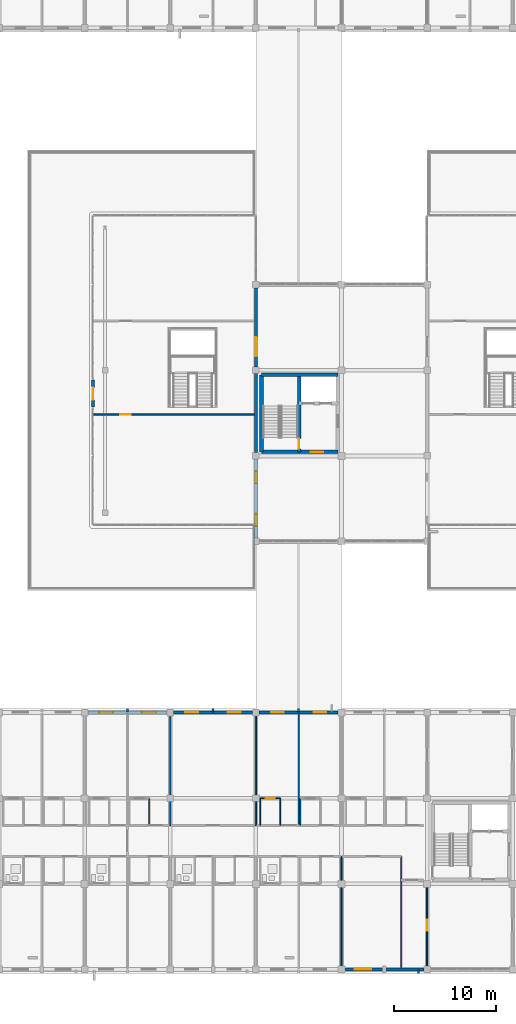
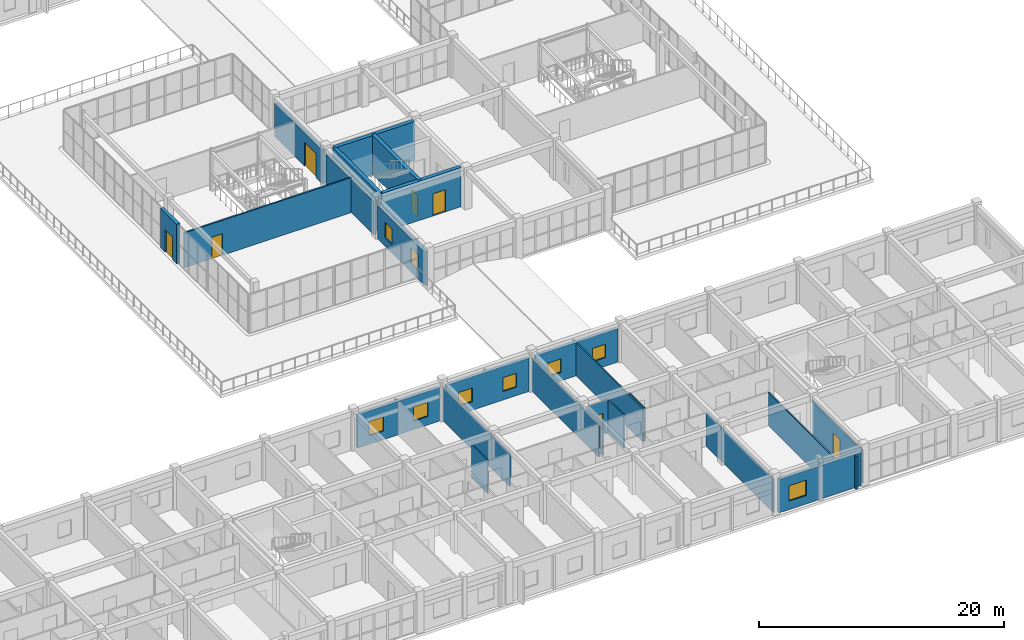
# One storey, part 64 of 90: 28 walls, 9 windows, 7 doors, 16 openings.
"""IFC4 building model written with IfcOpenShell, lengths in metres."""

from ifc_helpers import new_model, si_unit, direction, frame, frame_2d, origin, place, context, subcontext, project, spatial, rectangle, extrude, material, layer, layer_set, type_object, element, fill, save


model = new_model("IFC4")

# Units and contexts
model_context = context("Model", 3, precision=1e-05, world=origin(), true_north=direction((0.0, 1.0)))
body_context = subcontext(model_context, "Body", "Model", "MODEL_VIEW")
ifc_project = project(units=[si_unit("LENGTHUNIT", "METRE"), si_unit("AREAUNIT", "SQUARE_METRE"), si_unit("VOLUMEUNIT", "CUBIC_METRE"), si_unit("PLANEANGLEUNIT", "RADIAN"), si_unit("MASSUNIT", "GRAM", prefix="KILO")], contexts=[model_context])

# Site, building, storey
site_placement = place(None, origin())
site = spatial("IfcSite", under=ifc_project, at=site_placement, CompositionType="ELEMENT")
building_placement = place(site_placement, origin())
building = spatial("IfcBuilding", under=site, at=building_placement, Name="Trelvath General Hospital", CompositionType="ELEMENT")
storey_placement = place(building_placement, frame((0.0, 0.0, 20.39990234375)))
storey = spatial("IfcBuildingStorey", under=building, at=storey_placement, Name="L05", CompositionType="ELEMENT", Elevation=20.39990234375)

# Walls
ifc_material_1 = material(Name="Precast concrete C40/50", Category="concrete")
ifc_layer_1 = layer(ifc_material_1, 0.199951171875)
ifc_layer_set_1 = layer_set([ifc_layer_1], Name="Precast concrete C40/50")
wall_type_1 = type_object("IfcWallType", Name="BriseSoleilRib 200", PredefinedType="ELEMENTEDWALL", material=ifc_layer_set_1)
for number, where, z_axis, x_axis, name in (
    (1, (63.0, 25.27490234375, 0.0), (0.0, 0.0, 1.0), (0.0, 1.0, 0.0), "Precast Concrete Brise-Soleil Rib Fin L05-375"),
    (2, (71.39990234375, 25.27490234375, 0.0), (0.0, 0.0, 1.0), (0.0, 1.0, 0.0), "Precast Concrete Brise-Soleil Rib Fin L05-379"),
    (3, (79.800048828125, 25.27490234375, 0.0), (0.0, 0.0, 1.0), (0.0, 1.0, 0.0), "Precast Concrete Brise-Soleil Rib Fin L05-383"),
    (4, (91.536865234375, -0.074951171875, 0.0), (0.0, 0.0, 1.0), (0.0, -1.0, 0.0), "Precast Concrete Brise-Soleil Rib Fin L05-386"),
):
    element("IfcWall", number, at=place(storey_placement, frame(where, z_axis=z_axis, x_axis=x_axis)), inside=storey, type_object=wall_type_1, Name=name, PredefinedType="ELEMENTEDWALL", context=body_context, shape_type="SweptSolid", body=[
        extrude(rectangle(XDim=0.340087890625, YDim=0.199951171875, at=frame_2d((0.169921875, 0.0))), origin(), (0.0, 0.0, 1.0), 3.320068359375),
    ])

# Wall, opening, door
ifc_material_2 = material(Name="Gypsum acoustic steel-stud partition", Category="steel")
ifc_layer_2 = layer(ifc_material_2, 0.14990234375)
ifc_layer_set_2 = layer_set([ifc_layer_2], Name="Gypsum acoustic steel-stud partition")
wall_type_2 = type_object("IfcWallType", Name="ClinicalPartition 150", PredefinedType="PARTITIONING", material=ifc_layer_set_2)
wall_1_placement = place(storey_placement, frame((59.699951171875, 54.449951171875, 0.0), z_axis=(0.0, 0.0, 1.0), x_axis=(1.0, 0.0, 0.0)))
wall_1 = element("IfcWall", 5, at=wall_1_placement, inside=storey, type_object=wall_type_2, Name="Cube Clinic CUBE-W Partition L05-2027", PredefinedType="PARTITIONING", context=body_context, shape_type="SweptSolid", body=[
    extrude(rectangle(XDim=15.800048828125, YDim=0.14990234375, at=frame_2d((7.89990234375, 0.0))), origin(), (0.0, 0.0, 1.0), 3.489990234375),
])
opening_1_placement = place(wall_1_placement, frame((2.60009765625, 0.0, 0.0)))
opening_1 = element("IfcOpeningElement", 6, at=opening_1_placement, cuts=wall_1, Name="Opening DC-5-1303", PredefinedType="OPENING", context=body_context, shape_type="SweptSolid", body=[
    extrude(rectangle(XDim=1.0, YDim=2.14990234375, at=frame_2d((0.5, 1.074951171875))), frame((0.0, 0.0849609375, 0.0), z_axis=(0.0, -1.0, 0.0), x_axis=(1.0, 0.0, 0.0)), (0.0, 0.0, 1.0), 0.169921875),
])
ifc_material_3 = material(Name="Acoustic hospital timber leaf", Category="wood")
door_type_1 = type_object("IfcDoorType", Name="Door Consult 1000x2150", OperationType="NOTDEFINED", PredefinedType="DOOR", material=ifc_material_3)
door_1_placement = place(opening_1_placement, origin())
door_1 = element("IfcDoor", 7, at=door_1_placement, inside=storey, type_object=door_type_1, Name="Cube Clinic CUBE-W Door L05-1303", OperationType="SINGLE_SWING_LEFT", OverallHeight=2.14990234375, OverallWidth=1.0, PredefinedType="DOOR", context=body_context, shape_type="SweptSolid", body=[
    extrude(rectangle(XDim=1.0, YDim=2.14990234375, at=frame_2d((0.5, 1.074951171875))), frame((0.0, 0.02490234375, 0.0), z_axis=(0.0, -1.0, 0.0), x_axis=(1.0, 0.0, 0.0)), (0.0, 0.0, 1.0), 0.050048828125),
])
fill(opening_1, door_1)

ifc_material_4 = material(Name="Concrete C40/50", Category="concrete")
ifc_layer_3 = layer(ifc_material_4, 0.35009765625)
ifc_layer_set_3 = layer_set([ifc_layer_3], Name="Concrete C40/50")
wall_type_3 = type_object("IfcWallType", Name="CoreShearWall 350", PredefinedType="SHEAR", material=ifc_layer_set_3)
wall_2_placement = place(storey_placement, frame((76.14990234375, 50.800048828125, 0.0), z_axis=(0.0, 0.0, 1.0), x_axis=(1.0, 0.0, 0.0)))
wall_2 = element("IfcWall", 8, at=wall_2_placement, inside=storey, type_object=wall_type_3, Name="Core Shear Wall C6 S L05", PredefinedType="SHEAR", context=body_context, shape_type="SweptSolid", body=[
    extrude(rectangle(XDim=7.5, YDim=0.35009765625, at=frame_2d((3.75, 0.0))), origin(), (0.0, 0.0, 1.0), 3.920166015625),
])
opening_2_placement = place(wall_2_placement, frame((4.85009765625, 0.0, 0.0)))
opening_2 = element("IfcOpeningElement", 9, at=opening_2_placement, cuts=wall_2, Name="Opening FD-LS65", PredefinedType="OPENING", context=body_context, shape_type="SweptSolid", body=[
    extrude(rectangle(XDim=1.199951171875, YDim=2.199951171875, at=frame_2d((0.60009765625, 1.10009765625))), frame((0.0, 0.18505859375, 0.0), z_axis=(0.0, -1.0, 0.0), x_axis=(1.0, 0.0, 0.0)), (0.0, 0.0, 1.0), 0.3701171875),
])
ifc_material_5 = material(Name="Fire-rated steel door", Category="steel")
door_type_2 = type_object("IfcDoorType", Name="Door FireLobby 1200x2200", OperationType="NOTDEFINED", PredefinedType="DOOR", material=ifc_material_5)
door_2_placement = place(opening_2_placement, origin())
door_2 = element("IfcDoor", 10, at=door_2_placement, inside=storey, type_object=door_type_2, Name="Fire Lobby South Concourse Door C6 L05", OperationType="SINGLE_SWING_RIGHT", OverallHeight=2.199951171875, OverallWidth=1.199951171875, PredefinedType="DOOR", context=body_context, shape_type="SweptSolid", body=[
    extrude(rectangle(XDim=1.199951171875, YDim=2.199951171875, at=frame_2d((0.60009765625, 1.10009765625))), frame((0.0, 0.02490234375, 0.0), z_axis=(0.0, -1.0, 0.0), x_axis=(1.0, 0.0, 0.0)), (0.0, 0.0, 1.0), 0.050048828125),
])
fill(opening_2, door_2)

# Walls
wall_3_placement = place(storey_placement, frame((76.14990234375, 58.35009765625, 0.0), z_axis=(0.0, 0.0, 1.0), x_axis=(1.0, 0.0, 0.0)))
element("IfcWall", 11, at=wall_3_placement, inside=storey, type_object=wall_type_3, Name="Core Shear Wall C6 N L05", PredefinedType="SHEAR", context=body_context, shape_type="SweptSolid", body=[
    extrude(rectangle(XDim=7.5, YDim=0.35009765625, at=frame_2d((3.75, 0.0))), origin(), (0.0, 0.0, 1.0), 3.920166015625),
])
wall_4_placement = place(storey_placement, frame((76.14990234375, 50.800048828125, 0.0), z_axis=(0.0, 0.0, 1.0), x_axis=(0.0, 1.0, 0.0)))
element("IfcWall", 12, at=wall_4_placement, inside=storey, type_object=wall_type_3, Name="Core Shear Wall C6 W L05", PredefinedType="SHEAR", context=body_context, shape_type="SweptSolid", body=[
    extrude(rectangle(XDim=7.550048828125, YDim=0.35009765625, at=frame_2d((3.77490234375, 0.0))), origin(), (0.0, 0.0, 1.0), 3.920166015625),
])

# Wall, opening, door
wall_5_placement = place(storey_placement, frame((79.85009765625, 50.800048828125, 0.0), z_axis=(0.0, 0.0, 1.0), x_axis=(0.0, 1.0, 0.0)))
wall_5 = element("IfcWall", 13, at=wall_5_placement, inside=storey, type_object=wall_type_3, Name="Core Shear Wall C6 SPINE L05", PredefinedType="SHEAR", context=body_context, shape_type="SweptSolid", body=[
    extrude(rectangle(XDim=7.550048828125, YDim=0.35009765625, at=frame_2d((3.77490234375, 0.0))), origin(), (0.0, 0.0, 1.0), 3.920166015625),
])
opening_3_placement = place(wall_5_placement, frame((0.280029296875, 0.0, 0.0)))
opening_3 = element("IfcOpeningElement", 14, at=opening_3_placement, cuts=wall_5, Name="Opening FD-S65", PredefinedType="OPENING", context=body_context, shape_type="SweptSolid", body=[
    extrude(rectangle(XDim=1.0, YDim=2.14990234375, at=frame_2d((0.5, 1.074951171875))), frame((0.0, 0.18505859375, 0.0), z_axis=(0.0, -1.0, 0.0), x_axis=(1.0, 0.0, 0.0)), (0.0, 0.0, 1.0), 0.3701171875),
])
ifc_material_6 = material(Name="Fire-rated steel door", Category="steel")
door_type_3 = type_object("IfcDoorType", Name="Door FireStair 1100x2150", OperationType="NOTDEFINED", PredefinedType="DOOR", material=ifc_material_6)
door_3_placement = place(opening_3_placement, origin())
door_3 = element("IfcDoor", 15, at=door_3_placement, inside=storey, type_object=door_type_3, Name="Exit Stair Door ST6 L05", OperationType="SINGLE_SWING_LEFT", OverallHeight=2.14990234375, OverallWidth=1.0, PredefinedType="DOOR", context=body_context, shape_type="SweptSolid", body=[
    extrude(rectangle(XDim=1.0, YDim=2.14990234375, at=frame_2d((0.5, 1.074951171875))), frame((0.0, 0.02490234375, 0.0), z_axis=(0.0, -1.0, 0.0), x_axis=(1.0, 0.0, 0.0)), (0.0, 0.0, 1.0), 0.050048828125),
])
fill(opening_3, door_3)

# Walls
ifc_material_7 = material(Name="Moisture-resistant tile partition")
ifc_layer_4 = layer(ifc_material_7, 0.110107421875)
ifc_layer_set_4 = layer_set([ifc_layer_4], Name="Moisture-resistant tile partition")
wall_type_4 = type_object("IfcWallType", Name="EnSuiteWetWall 110", PredefinedType="PARTITIONING", material=ifc_layer_set_4)
for number, where, z_axis, x_axis, name in (
    (16, (65.139892578125, 14.169921875, 0.0), (0.0, 0.0, 1.0), (0.0, 1.0, 0.0), "En-Suite E Wall N L05-1792"),
    (17, (76.02001953125, 14.169921875, 0.0), (0.0, 0.0, 1.0), (0.0, 1.0, 0.0), "En-Suite W Wall N L05-1819"),
    (18, (78.0, 14.169921875, 0.0), (0.0, 0.0, 1.0), (0.0, 1.0, 0.0), "En-Suite E Wall N L05-1820"),
):
    element("IfcWall", number, at=place(storey_placement, frame(where, z_axis=z_axis, x_axis=x_axis)), inside=storey, type_object=wall_type_4, Name=name, PredefinedType="PARTITIONING", context=body_context, shape_type="SweptSolid", body=[
        extrude(rectangle(XDim=2.610107421875, YDim=0.110107421875, at=frame_2d((1.30517578125, 0.0))), origin(), (0.0, 0.0, 1.0), 3.320068359375),
    ])

# Wall, opening, door
wall_6_placement = place(storey_placement, frame((76.02001953125, 16.780029296875, 0.0), z_axis=(0.0, 0.0, 1.0), x_axis=(1.0, 0.0, 0.0)))
wall_6 = element("IfcWall", 19, at=wall_6_placement, inside=storey, type_object=wall_type_4, Name="En-Suite Bathroom N Partition L05-1821", PredefinedType="PARTITIONING", context=body_context, shape_type="SweptSolid", body=[
    extrude(rectangle(XDim=1.97998046875, YDim=0.110107421875, at=frame_2d((0.989990234375, 0.0))), origin(), (0.0, 0.0, 1.0), 3.320068359375),
])
opening_4_placement = place(wall_6_placement, frame((0.5400390625, 0.0, 0.0)))
opening_4 = element("IfcOpeningElement", 20, at=opening_4_placement, cuts=wall_6, Name="Opening D-5-1200", PredefinedType="OPENING", context=body_context, shape_type="SweptSolid", body=[
    extrude(rectangle(XDim=0.89990234375, YDim=2.10009765625, at=frame_2d((0.449951171875, 1.050048828125))), frame((0.0, 0.06494140625, 0.0), z_axis=(0.0, -1.0, 0.0), x_axis=(1.0, 0.0, 0.0)), (0.0, 0.0, 1.0), 0.130126953125),
])
ifc_material_8 = material(Name="Moisture-sealed timber leaf", Category="wood")
door_type_4 = type_object("IfcDoorType", Name="Door EnSuite 900x2100", OperationType="NOTDEFINED", PredefinedType="DOOR", material=ifc_material_8)
door_4_placement = place(opening_4_placement, origin())
door_4 = element("IfcDoor", 21, at=door_4_placement, inside=storey, type_object=door_type_4, Name="En-Suite Bathroom N Door L05-1200", OperationType="SINGLE_SWING_RIGHT", OverallHeight=2.10009765625, OverallWidth=0.89990234375, PredefinedType="DOOR", context=body_context, shape_type="SweptSolid", body=[
    extrude(rectangle(XDim=0.89990234375, YDim=2.10009765625, at=frame_2d((0.449951171875, 1.050048828125))), frame((0.0, 0.02490234375, 0.0), z_axis=(0.0, -1.0, 0.0), x_axis=(1.0, 0.0, 0.0)), (0.0, 0.0, 1.0), 0.050048828125),
])
fill(opening_4, door_4)

# Wall
wall_7_placement = place(storey_placement, frame((79.9599609375, 14.169921875, 0.0), z_axis=(0.0, 0.0, 1.0), x_axis=(0.0, 1.0, 0.0)))
element("IfcWall", 22, at=wall_7_placement, inside=storey, type_object=wall_type_4, Name="En-Suite W Wall N L05-1822", PredefinedType="PARTITIONING", context=body_context, shape_type="SweptSolid", body=[
    extrude(rectangle(XDim=2.610107421875, YDim=0.110107421875, at=frame_2d((1.30517578125, 0.0))), origin(), (0.0, 0.0, 1.0), 3.320068359375),
])

# Wall, openings, windows
ifc_material_9 = material(Name="Concrete C35/45", Category="concrete")
ifc_layer_5 = layer(ifc_material_9, 0.2900390625)
ifc_layer_set_5 = layer_set([ifc_layer_5], Name="Concrete C35/45")
wall_type_5 = type_object("IfcWallType", Name="ExtBushHammeredWall 290", PredefinedType="SOLIDWALL", material=ifc_layer_set_5)
wall_8_placement = place(storey_placement, frame((59.1201171875, 25.199951171875, 0.0), z_axis=(0.0, 0.0, 1.0), x_axis=(1.0, 0.0, 0.0)))
wall_8 = element("IfcWall", 23, at=wall_8_placement, inside=storey, type_object=wall_type_5, Name="Exterior Concrete Wall L05-509", PredefinedType="SOLIDWALL", context=body_context, shape_type="SweptSolid", body=[
    extrude(rectangle(XDim=7.759765625, YDim=0.2900390625, at=frame_2d((3.8798828125, 0.0))), origin(), (0.0, 0.0, 1.0), 3.340087890625),
])
opening_5_placement = place(wall_8_placement, frame((1.104736328125, 0.0, 0.85009765625)))
opening_5 = element("IfcOpeningElement", 24, at=opening_5_placement, cuts=wall_8, Name="Opening WN-5-843", PredefinedType="OPENING", context=body_context, shape_type="SweptSolid", body=[
    extrude(rectangle(XDim=1.360107421875, YDim=1.419921875, at=frame_2d((0.68017578125, 0.7099609375))), frame((0.0, 0.155029296875, 0.0), z_axis=(0.0, -1.0, 0.0), x_axis=(1.0, 0.0, 0.0)), (0.0, 0.0, 1.0), 0.31005859375),
])
opening_6_placement = place(wall_8_placement, frame((5.295166015625, 0.0, 0.85009765625)))
opening_6 = element("IfcOpeningElement", 25, at=opening_6_placement, cuts=wall_8, Name="Opening WN-5-844", PredefinedType="OPENING", context=body_context, shape_type="SweptSolid", body=[
    extrude(rectangle(XDim=1.360107421875, YDim=1.419921875, at=frame_2d((0.68017578125, 0.7099609375))), frame((0.0, 0.155029296875, 0.0), z_axis=(0.0, -1.0, 0.0), x_axis=(1.0, 0.0, 0.0)), (0.0, 0.0, 1.0), 0.31005859375),
])
ifc_material_10 = material(Name="Low-E laminated glass", Category="glass")
window_type_1 = type_object("IfcWindowType", Name="Window Pathology 1360x1420", PartitioningType="DOUBLE_PANEL_VERTICAL", PredefinedType="WINDOW", material=ifc_material_10)
window_1_placement = place(opening_5_placement, origin())
window_1 = element("IfcWindow", 26, at=window_1_placement, inside=storey, type_object=window_type_1, Name="Solar Reveal Window L05-843", OverallHeight=1.419921875, OverallWidth=1.360107421875, PartitioningType="SINGLE_PANEL", PredefinedType="WINDOW", context=body_context, shape_type="SweptSolid", body=[
    extrude(rectangle(XDim=1.360107421875, YDim=1.419921875, at=frame_2d((0.68017578125, 0.7099609375))), frame((0.0, 0.030029296875, 0.0), z_axis=(0.0, -1.0, 0.0), x_axis=(1.0, 0.0, 0.0)), (0.0, 0.0, 1.0), 0.06005859375),
])
fill(opening_5, window_1)
window_2_placement = place(opening_6_placement, origin())
window_2 = element("IfcWindow", 27, at=window_2_placement, inside=storey, type_object=window_type_1, Name="Solar Reveal Window L05-844", OverallHeight=1.419921875, OverallWidth=1.360107421875, PartitioningType="SINGLE_PANEL", PredefinedType="WINDOW", context=body_context, shape_type="SweptSolid", body=[
    extrude(rectangle(XDim=1.360107421875, YDim=1.419921875, at=frame_2d((0.68017578125, 0.7099609375))), frame((0.0, 0.030029296875, 0.0), z_axis=(0.0, -1.0, 0.0), x_axis=(1.0, 0.0, 0.0)), (0.0, 0.0, 1.0), 0.06005859375),
])
fill(opening_6, window_2)

wall_9_placement = place(storey_placement, frame((67.52001953125, 25.199951171875, 0.0), z_axis=(0.0, 0.0, 1.0), x_axis=(1.0, 0.0, 0.0)))
wall_9 = element("IfcWall", 28, at=wall_9_placement, inside=storey, type_object=wall_type_5, Name="Exterior Concrete Wall L05-513", PredefinedType="SOLIDWALL", context=body_context, shape_type="SweptSolid", body=[
    extrude(rectangle(XDim=7.760009765625, YDim=0.2900390625, at=frame_2d((3.8798828125, 0.0))), origin(), (0.0, 0.0, 1.0), 3.340087890625),
])
opening_7_placement = place(wall_9_placement, frame((1.144775390625, 0.0, 0.85009765625)))
opening_7 = element("IfcOpeningElement", 29, at=opening_7_placement, cuts=wall_9, Name="Opening WN-5-851", PredefinedType="OPENING", context=body_context, shape_type="SweptSolid", body=[
    extrude(rectangle(XDim=1.280029296875, YDim=1.3798828125, at=frame_2d((0.64013671875, 0.68994140625))), frame((0.0, 0.155029296875, 0.0), z_axis=(0.0, -1.0, 0.0), x_axis=(1.0, 0.0, 0.0)), (0.0, 0.0, 1.0), 0.31005859375),
])
opening_8_placement = place(wall_9_placement, frame((5.335205078125, 0.0, 0.85009765625)))
opening_8 = element("IfcOpeningElement", 30, at=opening_8_placement, cuts=wall_9, Name="Opening WN-5-852", PredefinedType="OPENING", context=body_context, shape_type="SweptSolid", body=[
    extrude(rectangle(XDim=1.280029296875, YDim=1.3798828125, at=frame_2d((0.64013671875, 0.68994140625))), frame((0.0, 0.155029296875, 0.0), z_axis=(0.0, -1.0, 0.0), x_axis=(1.0, 0.0, 0.0)), (0.0, 0.0, 1.0), 0.31005859375),
])
ifc_material_11 = material(Name="Low-E laminated glass", Category="glass")
window_type_2 = type_object("IfcWindowType", Name="Window Telemetry 1280x1380", PartitioningType="DOUBLE_PANEL_VERTICAL", PredefinedType="WINDOW", material=ifc_material_11)
window_3_placement = place(opening_7_placement, origin())
window_3 = element("IfcWindow", 31, at=window_3_placement, inside=storey, type_object=window_type_2, Name="Solar Reveal Window L05-851", OverallHeight=1.3798828125, OverallWidth=1.280029296875, PartitioningType="SINGLE_PANEL", PredefinedType="WINDOW", context=body_context, shape_type="SweptSolid", body=[
    extrude(rectangle(XDim=1.280029296875, YDim=1.3798828125, at=frame_2d((0.64013671875, 0.68994140625))), frame((0.0, 0.030029296875, 0.0), z_axis=(0.0, -1.0, 0.0), x_axis=(1.0, 0.0, 0.0)), (0.0, 0.0, 1.0), 0.06005859375),
])
fill(opening_7, window_3)
window_4_placement = place(opening_8_placement, origin())
window_4 = element("IfcWindow", 32, at=window_4_placement, inside=storey, type_object=window_type_2, Name="Solar Reveal Window L05-852", OverallHeight=1.3798828125, OverallWidth=1.280029296875, PartitioningType="SINGLE_PANEL", PredefinedType="WINDOW", context=body_context, shape_type="SweptSolid", body=[
    extrude(rectangle(XDim=1.280029296875, YDim=1.3798828125, at=frame_2d((0.64013671875, 0.68994140625))), frame((0.0, 0.030029296875, 0.0), z_axis=(0.0, -1.0, 0.0), x_axis=(1.0, 0.0, 0.0)), (0.0, 0.0, 1.0), 0.06005859375),
])
fill(opening_8, window_4)

wall_10_placement = place(storey_placement, frame((75.919921875, 25.199951171875, 0.0), z_axis=(0.0, 0.0, 1.0), x_axis=(1.0, 0.0, 0.0)))
wall_10 = element("IfcWall", 33, at=wall_10_placement, inside=storey, type_object=wall_type_5, Name="Exterior Concrete Wall L05-517", PredefinedType="SOLIDWALL", context=body_context, shape_type="SweptSolid", body=[
    extrude(rectangle(XDim=7.760009765625, YDim=0.2900390625, at=frame_2d((3.8798828125, 0.0))), origin(), (0.0, 0.0, 1.0), 3.340087890625),
])
opening_9_placement = place(wall_10_placement, frame((1.164794921875, 0.0, 0.85009765625)))
opening_9 = element("IfcOpeningElement", 34, at=opening_9_placement, cuts=wall_10, Name="Opening WN-5-859", PredefinedType="OPENING", context=body_context, shape_type="SweptSolid", body=[
    extrude(rectangle(XDim=1.239990234375, YDim=1.340087890625, at=frame_2d((0.6201171875, 0.669921875))), frame((0.0, 0.155029296875, 0.0), z_axis=(0.0, -1.0, 0.0), x_axis=(1.0, 0.0, 0.0)), (0.0, 0.0, 1.0), 0.31005859375),
])
opening_10_placement = place(wall_10_placement, frame((5.355224609375, 0.0, 0.85009765625)))
opening_10 = element("IfcOpeningElement", 35, at=opening_10_placement, cuts=wall_10, Name="Opening WN-5-860", PredefinedType="OPENING", context=body_context, shape_type="SweptSolid", body=[
    extrude(rectangle(XDim=1.239990234375, YDim=1.340087890625, at=frame_2d((0.6201171875, 0.669921875))), frame((0.0, 0.155029296875, 0.0), z_axis=(0.0, -1.0, 0.0), x_axis=(1.0, 0.0, 0.0)), (0.0, 0.0, 1.0), 0.31005859375),
])
ifc_material_12 = material(Name="Low-E laminated glass", Category="glass")
window_type_3 = type_object("IfcWindowType", Name="Window Pharmacy 1240x1340", PartitioningType="DOUBLE_PANEL_VERTICAL", PredefinedType="WINDOW", material=ifc_material_12)
window_5_placement = place(opening_9_placement, origin())
window_5 = element("IfcWindow", 36, at=window_5_placement, inside=storey, type_object=window_type_3, Name="Solar Reveal Window L05-859", OverallHeight=1.340087890625, OverallWidth=1.239990234375, PartitioningType="SINGLE_PANEL", PredefinedType="WINDOW", context=body_context, shape_type="SweptSolid", body=[
    extrude(rectangle(XDim=1.239990234375, YDim=1.340087890625, at=frame_2d((0.6201171875, 0.669921875))), frame((0.0, 0.030029296875, 0.0), z_axis=(0.0, -1.0, 0.0), x_axis=(1.0, 0.0, 0.0)), (0.0, 0.0, 1.0), 0.06005859375),
])
fill(opening_9, window_5)
window_6_placement = place(opening_10_placement, origin())
window_6 = element("IfcWindow", 37, at=window_6_placement, inside=storey, type_object=window_type_3, Name="Solar Reveal Window L05-860", OverallHeight=1.340087890625, OverallWidth=1.239990234375, PartitioningType="SINGLE_PANEL", PredefinedType="WINDOW", context=body_context, shape_type="SweptSolid", body=[
    extrude(rectangle(XDim=1.239990234375, YDim=1.340087890625, at=frame_2d((0.6201171875, 0.669921875))), frame((0.0, 0.030029296875, 0.0), z_axis=(0.0, -1.0, 0.0), x_axis=(1.0, 0.0, 0.0)), (0.0, 0.0, 1.0), 0.06005859375),
])
fill(opening_10, window_6)

wall_11_placement = place(storey_placement, frame((75.60009765625, 42.320068359375, 0.0), z_axis=(0.0, 0.0, 1.0), x_axis=(0.0, 1.0, 0.0)))
wall_11 = element("IfcWall", 38, at=wall_11_placement, inside=storey, type_object=wall_type_5, Name="Exterior Concrete Wall L05-518", PredefinedType="SOLIDWALL", context=body_context, shape_type="SweptSolid", body=[
    extrude(rectangle(XDim=7.760009765625, YDim=0.2900390625, at=frame_2d((3.8798828125, 0.0))), origin(), (0.0, 0.0, 1.0), 3.340087890625),
])
opening_11_placement = place(wall_11_placement, frame((1.184814453125, 0.0, 0.85009765625)))
opening_11 = element("IfcOpeningElement", 39, at=opening_11_placement, cuts=wall_11, Name="Opening WN-5-861", PredefinedType="OPENING", context=body_context, shape_type="SweptSolid", body=[
    extrude(rectangle(XDim=1.199951171875, YDim=1.550048828125, at=frame_2d((0.60009765625, 0.77490234375))), frame((0.0, 0.155029296875, 0.0), z_axis=(0.0, -1.0, 0.0), x_axis=(1.0, 0.0, 0.0)), (0.0, 0.0, 1.0), 0.31005859375),
])
opening_12_placement = place(wall_11_placement, frame((5.375244140625, 0.0, 0.85009765625)))
opening_12 = element("IfcOpeningElement", 40, at=opening_12_placement, cuts=wall_11, Name="Opening WN-5-862", PredefinedType="OPENING", context=body_context, shape_type="SweptSolid", body=[
    extrude(rectangle(XDim=1.199951171875, YDim=1.550048828125, at=frame_2d((0.60009765625, 0.77490234375))), frame((0.0, 0.155029296875, 0.0), z_axis=(0.0, -1.0, 0.0), x_axis=(1.0, 0.0, 0.0)), (0.0, 0.0, 1.0), 0.31005859375),
])
ifc_material_13 = material(Name="Low-E laminated glass", Category="glass")
window_type_4 = type_object("IfcWindowType", Name="Window WardSouth 1200x1550", PartitioningType="SINGLE_PANEL", PredefinedType="WINDOW", material=ifc_material_13)
window_7_placement = place(opening_11_placement, origin())
window_7 = element("IfcWindow", 41, at=window_7_placement, inside=storey, type_object=window_type_4, Name="Solar Reveal Window L05-861", OverallHeight=1.550048828125, OverallWidth=1.199951171875, PartitioningType="SINGLE_PANEL", PredefinedType="WINDOW", context=body_context, shape_type="SweptSolid", body=[
    extrude(rectangle(XDim=1.199951171875, YDim=1.550048828125, at=frame_2d((0.60009765625, 0.77490234375))), frame((0.0, 0.030029296875, 0.0), z_axis=(0.0, -1.0, 0.0), x_axis=(1.0, 0.0, 0.0)), (0.0, 0.0, 1.0), 0.06005859375),
])
fill(opening_11, window_7)
window_8_placement = place(opening_12_placement, origin())
window_8 = element("IfcWindow", 42, at=window_8_placement, inside=storey, type_object=window_type_4, Name="Solar Reveal Window L05-862", OverallHeight=1.550048828125, OverallWidth=1.199951171875, PartitioningType="SINGLE_PANEL", PredefinedType="WINDOW", context=body_context, shape_type="SweptSolid", body=[
    extrude(rectangle(XDim=1.199951171875, YDim=1.550048828125, at=frame_2d((0.60009765625, 0.77490234375))), frame((0.0, 0.030029296875, 0.0), z_axis=(0.0, -1.0, 0.0), x_axis=(1.0, 0.0, 0.0)), (0.0, 0.0, 1.0), 0.06005859375),
])
fill(opening_12, window_8)

# Wall
wall_12_placement = place(storey_placement, frame((75.60009765625, 50.719970703125, 0.0), z_axis=(0.0, 0.0, 1.0), x_axis=(0.0, 1.0, 0.0)))
element("IfcWall", 43, at=wall_12_placement, inside=storey, type_object=wall_type_5, Name="Exterior Concrete Wall L05-519", PredefinedType="SOLIDWALL", context=body_context, shape_type="SweptSolid", body=[
    extrude(rectangle(XDim=7.760009765625, YDim=0.2900390625, at=frame_2d((3.8798828125, 0.0))), origin(), (0.0, 0.0, 1.0), 3.340087890625),
])

# Wall, opening, door
wall_13_placement = place(storey_placement, frame((75.60009765625, 59.1201171875, 0.0), z_axis=(0.0, 0.0, 1.0), x_axis=(0.0, 1.0, 0.0)))
wall_13 = element("IfcWall", 44, at=wall_13_placement, inside=storey, type_object=wall_type_5, Name="Exterior Concrete Wall L05-520", PredefinedType="SOLIDWALL", context=body_context, shape_type="SweptSolid", body=[
    extrude(rectangle(XDim=7.759765625, YDim=0.2900390625, at=frame_2d((3.8798828125, 0.0))), origin(), (0.0, 0.0, 1.0), 3.340087890625),
])
opening_13_placement = place(wall_13_placement, frame((1.030029296875, 0.0, 0.0)))
opening_13 = element("IfcOpeningElement", 45, at=opening_13_placement, cuts=wall_13, Name="Opening CP-5-064", PredefinedType="OPENING", context=body_context, shape_type="SweptSolid", body=[
    extrude(rectangle(XDim=1.89990234375, YDim=2.39990234375, at=frame_2d((0.949951171875, 1.199951171875))), frame((0.0, 0.155029296875, 0.0), z_axis=(0.0, -1.0, 0.0), x_axis=(1.0, 0.0, 0.0)), (0.0, 0.0, 1.0), 0.31005859375),
])
ifc_material_14 = material(Name="Thermally broken glazed aluminium pair", Category="aluminium")
door_type_5 = type_object("IfcDoorType", Name="Door BridgeEntry 1900x2400", OperationType="DOUBLE_SWING_LEFT", PredefinedType="DOOR", material=ifc_material_14)
door_5_placement = place(opening_13_placement, origin())
door_5 = element("IfcDoor", 46, at=door_5_placement, inside=storey, type_object=door_type_5, Name="Crystal Cube Concourse Portal Door L05-64", OperationType="DOUBLE_SWING_LEFT", OverallHeight=2.39990234375, OverallWidth=1.89990234375, PredefinedType="DOOR", context=body_context, shape_type="SweptSolid", body=[
    extrude(rectangle(XDim=1.89990234375, YDim=2.39990234375, at=frame_2d((0.949951171875, 1.199951171875))), frame((0.0, 0.02490234375, 0.0), z_axis=(0.0, -1.0, 0.0), x_axis=(1.0, 0.0, 0.0)), (0.0, 0.0, 1.0), 0.050048828125),
])
fill(opening_13, door_5)

# Wall, opening, window
wall_14_placement = place(storey_placement, frame((92.080078125, 0.0, 0.0), z_axis=(0.0, 0.0, 1.0), x_axis=(-1.0, 0.0, 0.0)))
wall_14 = element("IfcWall", 47, at=wall_14_placement, inside=storey, type_object=wall_type_5, Name="Exterior Concrete Wall L05-523", PredefinedType="SOLIDWALL", context=body_context, shape_type="SweptSolid", body=[
    extrude(rectangle(XDim=7.760009765625, YDim=0.2900390625, at=frame_2d((3.8798828125, 0.0))), origin(), (0.0, 0.0, 1.0), 3.340087890625),
])
opening_14_placement = place(wall_14_placement, frame((5.165283203125, 0.0, 0.85009765625)))
opening_14 = element("IfcOpeningElement", 48, at=opening_14_placement, cuts=wall_14, Name="Opening WN-5-868", PredefinedType="OPENING", context=body_context, shape_type="SweptSolid", body=[
    extrude(rectangle(XDim=1.6201171875, YDim=1.52001953125, at=frame_2d((0.81005859375, 0.760009765625))), frame((0.0, 0.155029296875, 0.0), z_axis=(0.0, -1.0, 0.0), x_axis=(1.0, 0.0, 0.0)), (0.0, 0.0, 1.0), 0.31005859375),
])
ifc_material_15 = material(Name="Low-E laminated glass", Category="glass")
window_type_5 = type_object("IfcWindowType", Name="Window Triage 1620x1520", PartitioningType="DOUBLE_PANEL_VERTICAL", PredefinedType="WINDOW", material=ifc_material_15)
window_9_placement = place(opening_14_placement, origin())
window_9 = element("IfcWindow", 49, at=window_9_placement, inside=storey, type_object=window_type_5, Name="Solar Reveal Window L05-868", OverallHeight=1.52001953125, OverallWidth=1.6201171875, PartitioningType="SINGLE_PANEL", PredefinedType="WINDOW", context=body_context, shape_type="SweptSolid", body=[
    extrude(rectangle(XDim=1.6201171875, YDim=1.52001953125, at=frame_2d((0.81005859375, 0.760009765625))), frame((0.0, 0.030029296875, 0.0), z_axis=(0.0, -1.0, 0.0), x_axis=(1.0, 0.0, 0.0)), (0.0, 0.0, 1.0), 0.06005859375),
])
fill(opening_14, window_9)

# Wall, opening, door
wall_15_placement = place(storey_placement, frame((59.60009765625, 55.179931640625, 0.0), z_axis=(0.0, 0.0, 1.0), x_axis=(0.0, 1.0, 0.0)))
wall_15 = element("IfcWall", 50, at=wall_15_placement, inside=storey, type_object=wall_type_5, Name="Crystal Cube Terrace Portal CUBE-W-T2 L05", PredefinedType="SOLIDWALL", context=body_context, shape_type="SweptSolid", body=[
    extrude(rectangle(XDim=2.64013671875, YDim=0.2900390625, at=frame_2d((1.320068359375, 0.0))), origin(), (0.0, 0.0, 1.0), 3.960205078125),
])
opening_15_placement = place(wall_15_placement, frame((0.719970703125, 0.0, 0.0)))
opening_15 = element("IfcOpeningElement", 51, at=opening_15_placement, cuts=wall_15, Name="Opening TD-C73", PredefinedType="OPENING", context=body_context, shape_type="SweptSolid", body=[
    extrude(rectangle(XDim=1.199951171875, YDim=2.25, at=frame_2d((0.60009765625, 1.125))), frame((0.0, 0.155029296875, 0.0), z_axis=(0.0, -1.0, 0.0), x_axis=(1.0, 0.0, 0.0)), (0.0, 0.0, 1.0), 0.31005859375),
])
ifc_material_16 = material(Name="Thermally broken glazed aluminium door", Category="aluminium")
door_type_6 = type_object("IfcDoorType", Name="Door Terrace 1200x2250", OperationType="NOTDEFINED", PredefinedType="DOOR", material=ifc_material_16)
door_6_placement = place(opening_15_placement, origin())
door_6 = element("IfcDoor", 52, at=door_6_placement, inside=storey, type_object=door_type_6, Name="Crystal Cube Planted Terrace Door CUBE-W-T2 L05", OperationType="SINGLE_SWING_LEFT", OverallHeight=2.25, OverallWidth=1.199951171875, PredefinedType="DOOR", context=body_context, shape_type="SweptSolid", body=[
    extrude(rectangle(XDim=1.199951171875, YDim=2.25, at=frame_2d((0.60009765625, 1.125))), frame((0.0, 0.02490234375, 0.0), z_axis=(0.0, -1.0, 0.0), x_axis=(1.0, 0.0, 0.0)), (0.0, 0.0, 1.0), 0.050048828125),
])
fill(opening_15, door_6)

# Walls
ifc_material_17 = material(Name="Gypsum acoustic steel-stud partition", Category="steel")
ifc_layer_6 = layer(ifc_material_17, 0.1298828125)
ifc_layer_set_6 = layer_set([ifc_layer_6], Name="Gypsum acoustic steel-stud partition")
wall_type_6 = type_object("IfcWallType", Name="WardPartition 130", PredefinedType="PARTITIONING", material=ifc_layer_set_6)
for number, where, z_axis, x_axis, name in (
    (53, (67.199951171875, 14.1201171875, 0.0), (0.0, 0.0, 1.0), (0.0, 1.0, 0.0), "Inter-Bay Ward Partition N L05-1796"),
    (54, (75.60009765625, 14.1201171875, 0.0), (0.0, 0.0, 1.0), (0.0, 1.0, 0.0), "Inter-Bay Ward Partition N L05-1807"),
):
    element("IfcWall", number, at=place(storey_placement, frame(where, z_axis=z_axis, x_axis=x_axis)), inside=storey, type_object=wall_type_6, Name=name, PredefinedType="PARTITIONING", context=body_context, shape_type="SweptSolid", body=[
        extrude(rectangle(XDim=10.93994140625, YDim=0.1298828125, at=frame_2d((5.469970703125, 0.0))), origin(), (0.0, 0.0, 1.0), 3.320068359375),
    ])
wall_16_placement = place(storey_placement, frame((79.800048828125, 14.169921875, 0.0), z_axis=(0.0, 0.0, 1.0), x_axis=(0.0, 1.0, 0.0)))
element("IfcWall", 55, at=wall_16_placement, inside=storey, type_object=wall_type_6, Name="Room Dividing Partition N L05-1818", PredefinedType="PARTITIONING", context=body_context, shape_type="SweptSolid", body=[
    extrude(rectangle(XDim=10.93017578125, YDim=0.1298828125, at=frame_2d((5.465087890625, 0.0))), origin(), (0.0, 0.0, 1.0), 3.320068359375),
])
for number, where, z_axis, x_axis, name in (
    (56, (84.0, 0.139892578125, 0.0), (0.0, 0.0, 1.0), (0.0, 1.0, 0.0), "Inter-Bay Ward Partition S L05-1825"),
    (57, (89.860107421875, 0.159912109375, 0.0), (0.0, 0.0, 1.0), (0.0, 1.0, 0.0), "Nurse Alcove Partition L05-1828"),
):
    element("IfcWall", number, at=place(storey_placement, frame(where, z_axis=z_axis, x_axis=x_axis)), inside=storey, type_object=wall_type_6, Name=name, PredefinedType="PARTITIONING", context=body_context, shape_type="SweptSolid", body=[
        extrude(rectangle(XDim=10.940185546875, YDim=0.1298828125, at=frame_2d((5.47021484375, 0.0))), origin(), (0.0, 0.0, 1.0), 3.320068359375),
    ])

# Wall, opening, door
wall_17_placement = place(storey_placement, frame((92.39990234375, 0.139892578125, 0.0), z_axis=(0.0, 0.0, 1.0), x_axis=(0.0, 1.0, 0.0)))
wall_17 = element("IfcWall", 58, at=wall_17_placement, inside=storey, type_object=wall_type_6, Name="Inter-Bay Ward Partition S L05-1838", PredefinedType="PARTITIONING", context=body_context, shape_type="SweptSolid", body=[
    extrude(rectangle(XDim=8.210205078125, YDim=0.1298828125, at=frame_2d((4.10498046875, 0.0))), origin(), (0.0, 0.0, 1.0), 3.320068359375),
])
opening_16_placement = place(wall_17_placement, frame((3.639892578125, 0.0, 0.0)))
opening_16 = element("IfcOpeningElement", 59, at=opening_16_placement, cuts=wall_17, Name="Opening D-5-1208", PredefinedType="OPENING", context=body_context, shape_type="SweptSolid", body=[
    extrude(rectangle(XDim=1.080078125, YDim=2.14990234375, at=frame_2d((0.5400390625, 1.074951171875))), frame((0.0, 0.074951171875, 0.0), z_axis=(0.0, -1.0, 0.0), x_axis=(1.0, 0.0, 0.0)), (0.0, 0.0, 1.0), 0.14990234375),
])
ifc_material_18 = material(Name="Acoustic hospital timber leaf", Category="wood")
door_type_7 = type_object("IfcDoorType", Name="Door CleanSupply 1080x2150", OperationType="NOTDEFINED", PredefinedType="DOOR", material=ifc_material_18)
door_7_placement = place(opening_16_placement, origin())
door_7 = element("IfcDoor", 60, at=door_7_placement, inside=storey, type_object=door_type_7, Name="Clean Supply Connecting Door L05-1208", OperationType="SINGLE_SWING_LEFT", OverallHeight=2.14990234375, OverallWidth=1.080078125, PredefinedType="DOOR", context=body_context, shape_type="SweptSolid", body=[
    extrude(rectangle(XDim=1.080078125, YDim=2.14990234375, at=frame_2d((0.5400390625, 1.074951171875))), frame((0.0, 0.02490234375, 0.0), z_axis=(0.0, -1.0, 0.0), x_axis=(1.0, 0.0, 0.0)), (0.0, 0.0, 1.0), 0.050048828125),
])
fill(opening_16, door_7)

save(model, "model.ifc")
